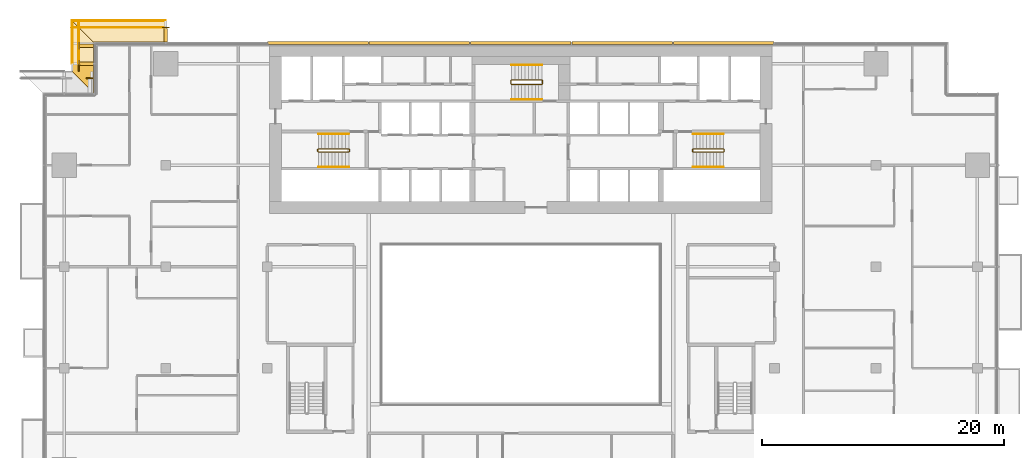
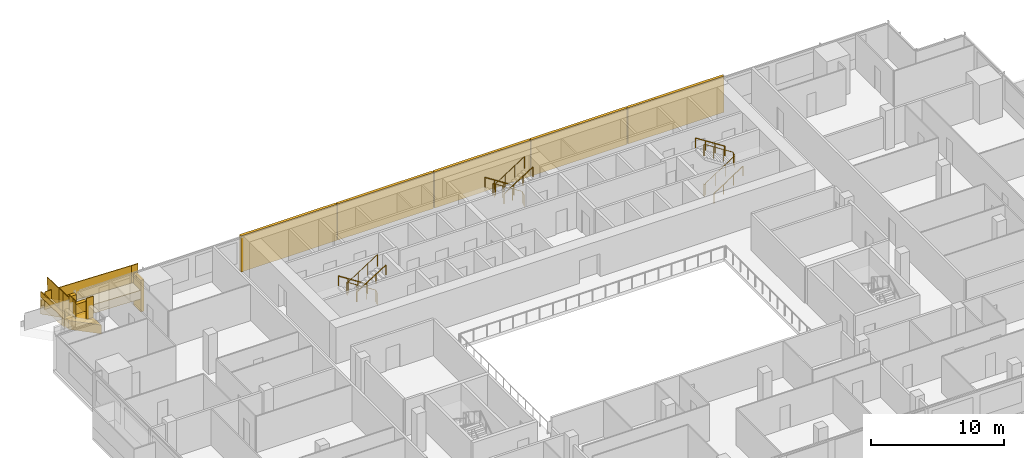
# One storey, part 26 of 29: 16 railings, 13 coverings.
"""IFC4 building model written with IfcOpenShell, lengths in metres."""

from ifc_helpers import new_model, si_unit, direction, frame, origin, origin_2d, place, context, subcontext, project, spatial, polyline, rectangle, circle, outline, extrude, material, layer, layer_set, type_object, element, save


model = new_model("IFC4")

# Units and contexts
model_context = context("Model", 3, precision=1e-05, world=origin(), true_north=direction((0.0, 1.0)))
body_context = subcontext(model_context, "Body", "Model", "MODEL_VIEW")
ifc_project = project(units=[si_unit("LENGTHUNIT", "METRE"), si_unit("AREAUNIT", "SQUARE_METRE"), si_unit("VOLUMEUNIT", "CUBIC_METRE"), si_unit("PLANEANGLEUNIT", "RADIAN"), si_unit("MASSUNIT", "GRAM", prefix="KILO")], contexts=[model_context])

# Site, building, storey
site_placement = place(None, origin())
site = spatial("IfcSite", under=ifc_project, at=site_placement, CompositionType="ELEMENT")
building_placement = place(site_placement, origin())
building = spatial("IfcBuilding", under=site, at=building_placement, Name="Saffron Gate Tower", CompositionType="ELEMENT")
storey_placement = place(building_placement, frame((0.0, 0.0, 106.050048828125)))
storey = spatial("IfcBuildingStorey", under=building, at=storey_placement, Name="L24", CompositionType="ELEMENT", Elevation=106.050048828125)

# Coverings
ifc_material_1 = material(Name="Ceramic-printed bronze insulated panel")
ifc_layer_1 = layer(ifc_material_1, 0.239990234375)
ifc_layer_set_1 = layer_set([ifc_layer_1], Name="CLD2 ceramic-printed cladding panel 240")
covering_type_1 = type_object("IfcCoveringType", Name="CLD2 ceramic-printed cladding panel 240", PredefinedType="CLADDING", material=ifc_layer_set_1)
covering_1_placement = place(storey_placement, origin())
element("IfcCovering", 1, at=covering_1_placement, inside=storey, type_object=covering_type_1, Name="CLADDING ceramic-printed panel", PredefinedType="CLADDING", context=body_context, shape_type="SweptSolid", body=[
    extrude(outline(polyline([(108.56494140625, 75.639892578125), (100.235107421875, 75.639892578125), (100.235107421875, 75.39990234375), (108.56494140625, 75.39990234375), (108.56494140625, 75.639892578125)])), origin(), (0.0, 0.0, 1.0), 3.320068359375),
])
covering_2_placement = place(storey_placement, origin())
element("IfcCovering", 2, at=covering_2_placement, inside=storey, type_object=covering_type_1, Name="CLADDING ceramic-printed panel", PredefinedType="CLADDING", context=body_context, shape_type="SweptSolid", body=[
    extrude(outline(polyline([(100.1650390625, 75.639892578125), (91.8349609375, 75.639892578125), (91.8349609375, 75.39990234375), (100.1650390625, 75.39990234375), (100.1650390625, 75.639892578125)])), origin(), (0.0, 0.0, 1.0), 3.320068359375),
])
covering_3_placement = place(storey_placement, origin())
element("IfcCovering", 3, at=covering_3_placement, inside=storey, type_object=covering_type_1, Name="CLADDING ceramic-printed panel", PredefinedType="CLADDING", context=body_context, shape_type="SweptSolid", body=[
    extrude(outline(polyline([(91.764892578125, 75.639892578125), (83.43505859375, 75.639892578125), (83.43505859375, 75.39990234375), (91.764892578125, 75.39990234375), (91.764892578125, 75.639892578125)])), origin(), (0.0, 0.0, 1.0), 3.320068359375),
])
covering_4_placement = place(storey_placement, origin())
element("IfcCovering", 4, at=covering_4_placement, inside=storey, type_object=covering_type_1, Name="CLADDING ceramic-printed panel", PredefinedType="CLADDING", context=body_context, shape_type="SweptSolid", body=[
    extrude(outline(polyline([(83.364990234375, 75.639892578125), (75.034912109375, 75.639892578125), (75.034912109375, 75.39990234375), (83.364990234375, 75.39990234375), (83.364990234375, 75.639892578125)])), origin(), (0.0, 0.0, 1.0), 3.320068359375),
])
covering_5_placement = place(storey_placement, origin())
element("IfcCovering", 5, at=covering_5_placement, inside=storey, type_object=covering_type_1, Name="CLADDING ceramic-printed panel", PredefinedType="CLADDING", context=body_context, shape_type="SweptSolid", body=[
    extrude(outline(polyline([(74.965087890625, 75.639892578125), (66.635009765625, 75.639892578125), (66.635009765625, 75.39990234375), (74.965087890625, 75.39990234375), (74.965087890625, 75.639892578125)])), origin(), (0.0, 0.0, 1.0), 3.320068359375),
])

# Railings
ifc_material_2 = material(Name="Stainless steel and laminated glass", Category="steel")
railing_type_1 = type_object("IfcRailingType", Name="CR1 Stair guard 1100", PredefinedType="GUARDRAIL", material=ifc_material_2)
railing_1_placement = place(storey_placement, frame((73.39990234375, 66.550048828125, 0.0)))
element("IfcRailing", 6, at=railing_1_placement, inside=storey, type_object=railing_type_1, Name="L24 ST-A stair guard 1", PredefinedType="GUARDRAIL", context=body_context, shape_type="SweptSolid", body=[
    extrude(circle(Radius=0.02392578125, at=origin_2d()), frame((0.0, 0.0, 1.076171875), z_axis=(0.0, 1.0, 0.0), x_axis=(-1.0, 0.0, 0.0)), (0.0, 0.0, 1.0), 0.14990234375),
    extrude(circle(Radius=0.02392578125, at=origin_2d()), frame((0.0, 0.14990234375, 1.076171875), z_axis=(-0.257669022063, 0.258932105505, 0.930892496375), x_axis=(-0.708833529934, -0.705375805398, 0.0)), (0.0, 0.0, 1.0), 0.193359375),
    extrude(circle(Radius=0.02392578125, at=origin_2d()), frame((-0.0498046875, 0.199951171875, 1.255859375), z_axis=(-0.841162588446, 0.0, 0.540782303519), x_axis=(0.0, -1.0, 0.0)), (0.0, 0.0, 1.0), 2.995849609375),
    extrude(circle(Radius=0.02392578125, at=origin_2d()), frame((-2.56982421875, 0.199951171875, 2.8759765625), z_axis=(-0.707106781187, -0.707106781187, 0.0), x_axis=(0.707106781187, -0.707106781187, 0.0)), (0.0, 0.0, 1.0), 0.07080078125),
    extrude(circle(Radius=0.02392578125, at=origin_2d()), frame((-2.619873046875, 0.14990234375, 2.8759765625), z_axis=(0.0, -1.0, 0.0), x_axis=(1.0, 0.0, 0.0)), (0.0, 0.0, 1.0), 0.14990234375),
    extrude(circle(Radius=0.02392578125, at=origin_2d()), frame((-2.619873046875, 0.0, 2.8759765625), z_axis=(0.258847668887, -0.258847668887, 0.930588936439), x_axis=(0.707106781187, 0.707106781187, 0.0)), (0.0, 0.0, 1.0), 0.193359375),
    extrude(circle(Radius=0.02392578125, at=origin_2d()), frame((-2.56982421875, -0.050048828125, 3.05615234375), z_axis=(0.841199657755, 0.0, 0.540724639528), x_axis=(0.0, 1.0, 0.0)), (0.0, 0.0, 1.0), 2.995849609375),
    extrude(circle(Radius=0.02099609375, at=origin_2d()), origin(), (0.0, 0.0, 1.0), 1.052001953125),
    extrude(circle(Radius=0.02099609375, at=origin_2d()), frame((0.0, 0.14990234375, 0.0)), (0.0, 0.0, 1.0), 1.052001953125),
    extrude(circle(Radius=0.02099609375, at=origin_2d()), frame((-0.0498046875, 0.199951171875, 0.179931640625)), (0.0, 0.0, 1.0), 1.052001953125),
    extrude(circle(Radius=0.02099609375, at=origin_2d()), frame((-0.889892578125, 0.199951171875, 0.719970703125)), (0.0, 0.0, 1.0), 1.052001953125),
    extrude(circle(Radius=0.02099609375, at=origin_2d()), frame((-1.729736328125, 0.199951171875, 1.260009765625)), (0.0, 0.0, 1.0), 1.052001953125),
    extrude(circle(Radius=0.02099609375, at=origin_2d()), frame((-2.56982421875, 0.199951171875, 1.800048828125)), (0.0, 0.0, 1.0), 1.052001953125),
    extrude(circle(Radius=0.02099609375, at=origin_2d()), frame((-2.619873046875, 0.14990234375, 1.800048828125)), (0.0, 0.0, 1.0), 1.052001953125),
    extrude(circle(Radius=0.02099609375, at=origin_2d()), frame((-2.619873046875, 0.0, 1.800048828125)), (0.0, 0.0, 1.0), 1.052001953125),
    extrude(circle(Radius=0.02099609375, at=origin_2d()), frame((-2.56982421875, -0.050048828125, 1.97998046875)), (0.0, 0.0, 1.0), 1.052001953125),
    extrude(circle(Radius=0.02099609375, at=origin_2d()), frame((-1.729736328125, -0.050048828125, 2.52001953125)), (0.0, 0.0, 1.0), 1.052001953125),
    extrude(circle(Radius=0.02099609375, at=origin_2d()), frame((-0.889892578125, -0.050048828125, 3.059814453125)), (0.0, 0.0, 1.0), 1.052001953125),
    extrude(circle(Radius=0.02099609375, at=origin_2d()), frame((-0.0498046875, -0.050048828125, 3.599853515625)), (0.0, 0.0, 1.0), 1.052001953125),
])
railing_2_placement = place(storey_placement, frame((101.800048828125, 66.699951171875, 0.0)))
element("IfcRailing", 7, at=railing_2_placement, inside=storey, type_object=railing_type_1, Name="L24 ST-B stair guard 1", PredefinedType="GUARDRAIL", context=body_context, shape_type="SweptSolid", body=[
    extrude(circle(Radius=0.02392578125, at=origin_2d()), frame((0.0, 0.0, 1.076171875), z_axis=(0.0, -1.0, 0.0), x_axis=(1.0, 0.0, 0.0)), (0.0, 0.0, 1.0), 0.14990234375),
    extrude(circle(Radius=0.02392578125, at=origin_2d()), frame((0.0, -0.14990234375, 1.076171875), z_axis=(0.258847668887, -0.258847668887, 0.930588936439), x_axis=(0.707106781187, 0.707106781187, 0.0)), (0.0, 0.0, 1.0), 0.193359375),
    extrude(circle(Radius=0.02392578125, at=origin_2d()), frame((0.050048828125, -0.199951171875, 1.255859375), z_axis=(0.841162588446, 0.0, 0.540782303519), x_axis=(0.0, 1.0, 0.0)), (0.0, 0.0, 1.0), 2.995849609375),
    extrude(circle(Radius=0.02392578125, at=origin_2d()), frame((2.570068359375, -0.199951171875, 2.8759765625), z_axis=(0.705375805398, 0.708833529934, 0.0), x_axis=(-0.708833529934, 0.705375805398, 0.0)), (0.0, 0.0, 1.0), 0.070556640625),
    extrude(circle(Radius=0.02392578125, at=origin_2d()), frame((2.619873046875, -0.14990234375, 2.8759765625), z_axis=(0.0, 1.0, 0.0), x_axis=(-1.0, 0.0, 0.0)), (0.0, 0.0, 1.0), 0.14990234375),
    extrude(circle(Radius=0.02392578125, at=origin_2d()), frame((2.619873046875, 0.0, 2.8759765625), z_axis=(-0.257669022063, 0.258932105505, 0.930892496375), x_axis=(-0.708833529934, -0.705375805398, 0.0)), (0.0, 0.0, 1.0), 0.193359375),
    extrude(circle(Radius=0.02392578125, at=origin_2d()), frame((2.570068359375, 0.050048828125, 3.05615234375), z_axis=(-0.841199657755, 0.0, 0.540724639528), x_axis=(0.0, -1.0, 0.0)), (0.0, 0.0, 1.0), 2.995849609375),
    extrude(circle(Radius=0.02099609375, at=origin_2d()), origin(), (0.0, 0.0, 1.0), 1.052001953125),
    extrude(circle(Radius=0.02099609375, at=origin_2d()), frame((0.0, -0.14990234375, 0.0)), (0.0, 0.0, 1.0), 1.052001953125),
    extrude(circle(Radius=0.02099609375, at=origin_2d()), frame((0.050048828125, -0.199951171875, 0.179931640625)), (0.0, 0.0, 1.0), 1.052001953125),
    extrude(circle(Radius=0.02099609375, at=origin_2d()), frame((0.89013671875, -0.199951171875, 0.719970703125)), (0.0, 0.0, 1.0), 1.052001953125),
    extrude(circle(Radius=0.02099609375, at=origin_2d()), frame((1.72998046875, -0.199951171875, 1.260009765625)), (0.0, 0.0, 1.0), 1.052001953125),
    extrude(circle(Radius=0.02099609375, at=origin_2d()), frame((2.570068359375, -0.199951171875, 1.800048828125)), (0.0, 0.0, 1.0), 1.052001953125),
    extrude(circle(Radius=0.02099609375, at=origin_2d()), frame((2.619873046875, -0.14990234375, 1.800048828125)), (0.0, 0.0, 1.0), 1.052001953125),
    extrude(circle(Radius=0.02099609375, at=origin_2d()), frame((2.619873046875, 0.0, 1.800048828125)), (0.0, 0.0, 1.0), 1.052001953125),
    extrude(circle(Radius=0.02099609375, at=origin_2d()), frame((2.570068359375, 0.050048828125, 1.97998046875)), (0.0, 0.0, 1.0), 1.052001953125),
    extrude(circle(Radius=0.02099609375, at=origin_2d()), frame((1.72998046875, 0.050048828125, 2.52001953125)), (0.0, 0.0, 1.0), 1.052001953125),
    extrude(circle(Radius=0.02099609375, at=origin_2d()), frame((0.89013671875, 0.050048828125, 3.059814453125)), (0.0, 0.0, 1.0), 1.052001953125),
    extrude(circle(Radius=0.02099609375, at=origin_2d()), frame((0.050048828125, 0.050048828125, 3.599853515625)), (0.0, 0.0, 1.0), 1.052001953125),
])
railing_3_placement = place(storey_placement, frame((89.39990234375, 72.14990234375, 0.0)))
element("IfcRailing", 8, at=railing_3_placement, inside=storey, type_object=railing_type_1, Name="L24 ST-C stair guard 1", PredefinedType="GUARDRAIL", context=body_context, shape_type="SweptSolid", body=[
    extrude(circle(Radius=0.02392578125, at=origin_2d()), frame((0.0, 0.0, 1.076171875), z_axis=(0.0, 1.0, 0.0), x_axis=(-1.0, 0.0, 0.0)), (0.0, 0.0, 1.0), 0.25),
    extrude(circle(Radius=0.02392578125, at=origin_2d()), frame((0.0, 0.25, 1.076171875), z_axis=(-0.257669022063, 0.258932105505, 0.930892496375), x_axis=(-0.708833529934, -0.705375805398, 0.0)), (0.0, 0.0, 1.0), 0.193359375),
    extrude(circle(Radius=0.02392578125, at=origin_2d()), frame((-0.0498046875, 0.300048828125, 1.255859375), z_axis=(-0.841162588446, 0.0, 0.540782303519), x_axis=(0.0, -1.0, 0.0)), (0.0, 0.0, 1.0), 2.995849609375),
    extrude(circle(Radius=0.02392578125, at=origin_2d()), frame((-2.56982421875, 0.300048828125, 2.8759765625), z_axis=(-0.707106781187, -0.707106781187, 0.0), x_axis=(0.707106781187, -0.707106781187, 0.0)), (0.0, 0.0, 1.0), 0.07080078125),
    extrude(circle(Radius=0.02392578125, at=origin_2d()), frame((-2.619873046875, 0.25, 2.8759765625), z_axis=(0.0, -1.0, 0.0), x_axis=(1.0, 0.0, 0.0)), (0.0, 0.0, 1.0), 0.25),
    extrude(circle(Radius=0.02392578125, at=origin_2d()), frame((-2.619873046875, 0.0, 2.8759765625), z_axis=(0.258932105505, -0.257669022063, 0.930892496375), x_axis=(0.705375805398, 0.708833529934, 0.0)), (0.0, 0.0, 1.0), 0.193359375),
    extrude(circle(Radius=0.02392578125, at=origin_2d()), frame((-2.56982421875, -0.0498046875, 3.05615234375), z_axis=(0.841199657755, 0.0, 0.540724639528), x_axis=(0.0, 1.0, 0.0)), (0.0, 0.0, 1.0), 2.995849609375),
    extrude(circle(Radius=0.02099609375, at=origin_2d()), origin(), (0.0, 0.0, 1.0), 1.052001953125),
    extrude(circle(Radius=0.02099609375, at=origin_2d()), frame((0.0, 0.25, 0.0)), (0.0, 0.0, 1.0), 1.052001953125),
    extrude(circle(Radius=0.02099609375, at=origin_2d()), frame((-0.0498046875, 0.300048828125, 0.179931640625)), (0.0, 0.0, 1.0), 1.052001953125),
    extrude(circle(Radius=0.02099609375, at=origin_2d()), frame((-0.889892578125, 0.300048828125, 0.719970703125)), (0.0, 0.0, 1.0), 1.052001953125),
    extrude(circle(Radius=0.02099609375, at=origin_2d()), frame((-1.729736328125, 0.300048828125, 1.260009765625)), (0.0, 0.0, 1.0), 1.052001953125),
    extrude(circle(Radius=0.02099609375, at=origin_2d()), frame((-2.56982421875, 0.300048828125, 1.800048828125)), (0.0, 0.0, 1.0), 1.052001953125),
    extrude(circle(Radius=0.02099609375, at=origin_2d()), frame((-2.619873046875, 0.25, 1.800048828125)), (0.0, 0.0, 1.0), 1.052001953125),
    extrude(circle(Radius=0.02099609375, at=origin_2d()), frame((-2.619873046875, 0.0, 1.800048828125)), (0.0, 0.0, 1.0), 1.052001953125),
    extrude(circle(Radius=0.02099609375, at=origin_2d()), frame((-2.56982421875, -0.0498046875, 1.97998046875)), (0.0, 0.0, 1.0), 1.052001953125),
    extrude(circle(Radius=0.02099609375, at=origin_2d()), frame((-1.729736328125, -0.0498046875, 2.52001953125)), (0.0, 0.0, 1.0), 1.052001953125),
    extrude(circle(Radius=0.02099609375, at=origin_2d()), frame((-0.889892578125, -0.0498046875, 3.059814453125)), (0.0, 0.0, 1.0), 1.052001953125),
    extrude(circle(Radius=0.02099609375, at=origin_2d()), frame((-0.0498046875, -0.0498046875, 3.599853515625)), (0.0, 0.0, 1.0), 1.052001953125),
])
ifc_material_3 = material(Name="Stainless steel", Category="steel")
railing_type_2 = type_object("IfcRailingType", Name="CR2 Stair handrail 900", PredefinedType="HANDRAIL", material=ifc_material_3)
railing_4_placement = place(storey_placement, frame((73.35009765625, 68.0, 0.179931640625)))
element("IfcRailing", 9, at=railing_4_placement, inside=storey, type_object=railing_type_2, Name="L24 ST-A stair handrail 1", PredefinedType="HANDRAIL", context=body_context, shape_type="SweptSolid", body=[
    extrude(circle(Radius=0.02392578125, at=origin_2d()), frame((0.0, 0.0, 0.8759765625), z_axis=(-0.841162588446, 0.0, 0.540782303519), x_axis=(0.0, -1.0, 0.0)), (0.0, 0.0, 1.0), 2.995849609375),
    extrude(circle(Radius=0.02099609375, at=origin_2d()), origin(), (0.0, 0.0, 1.0), 0.851806640625),
    extrude(circle(Radius=0.02099609375, at=origin_2d()), frame((-0.840087890625, 0.0, 0.5400390625)), (0.0, 0.0, 1.0), 0.851806640625),
    extrude(circle(Radius=0.02099609375, at=origin_2d()), frame((-1.679931640625, 0.0, 1.080078125)), (0.0, 0.0, 1.0), 0.851806640625),
    extrude(circle(Radius=0.02099609375, at=origin_2d()), frame((-2.52001953125, 0.0, 1.6201171875)), (0.0, 0.0, 1.0), 0.851806640625),
])
railing_5_placement = place(storey_placement, frame((70.830078125, 65.25, 1.97998046875)))
element("IfcRailing", 10, at=railing_5_placement, inside=storey, type_object=railing_type_2, Name="L24 ST-A stair handrail 2", PredefinedType="HANDRAIL", context=body_context, shape_type="SweptSolid", body=[
    extrude(circle(Radius=0.02392578125, at=origin_2d()), frame((0.0, 0.0, 0.8759765625), z_axis=(0.841199657755, 0.0, 0.540724639528), x_axis=(0.0, 1.0, 0.0)), (0.0, 0.0, 1.0), 2.995849609375),
    extrude(circle(Radius=0.02099609375, at=origin_2d()), origin(), (0.0, 0.0, 1.0), 0.851806640625),
    extrude(circle(Radius=0.02099609375, at=origin_2d()), frame((0.840087890625, 0.0, 0.5400390625)), (0.0, 0.0, 1.0), 0.851806640625),
    extrude(circle(Radius=0.02099609375, at=origin_2d()), frame((1.679931640625, 0.0, 1.079833984375)), (0.0, 0.0, 1.0), 0.851806640625),
    extrude(circle(Radius=0.02099609375, at=origin_2d()), frame((2.52001953125, 0.0, 1.619873046875)), (0.0, 0.0, 1.0), 0.851806640625),
])
railing_6_placement = place(storey_placement, frame((101.85009765625, 65.25, 0.179931640625)))
element("IfcRailing", 11, at=railing_6_placement, inside=storey, type_object=railing_type_2, Name="L24 ST-B stair handrail 1", PredefinedType="HANDRAIL", context=body_context, shape_type="SweptSolid", body=[
    extrude(circle(Radius=0.02392578125, at=origin_2d()), frame((0.0, 0.0, 0.8759765625), z_axis=(0.841162588446, 0.0, 0.540782303519), x_axis=(0.0, 1.0, 0.0)), (0.0, 0.0, 1.0), 2.995849609375),
    extrude(circle(Radius=0.02099609375, at=origin_2d()), origin(), (0.0, 0.0, 1.0), 0.851806640625),
    extrude(circle(Radius=0.02099609375, at=origin_2d()), frame((0.840087890625, 0.0, 0.5400390625)), (0.0, 0.0, 1.0), 0.851806640625),
    extrude(circle(Radius=0.02099609375, at=origin_2d()), frame((1.679931640625, 0.0, 1.080078125)), (0.0, 0.0, 1.0), 0.851806640625),
    extrude(circle(Radius=0.02099609375, at=origin_2d()), frame((2.52001953125, 0.0, 1.6201171875)), (0.0, 0.0, 1.0), 0.851806640625),
])
railing_7_placement = place(storey_placement, frame((104.3701171875, 68.0, 1.97998046875)))
element("IfcRailing", 12, at=railing_7_placement, inside=storey, type_object=railing_type_2, Name="L24 ST-B stair handrail 2", PredefinedType="HANDRAIL", context=body_context, shape_type="SweptSolid", body=[
    extrude(circle(Radius=0.02392578125, at=origin_2d()), frame((0.0, 0.0, 0.8759765625), z_axis=(-0.841199657755, 0.0, 0.540724639528), x_axis=(0.0, -1.0, 0.0)), (0.0, 0.0, 1.0), 2.995849609375),
    extrude(circle(Radius=0.02099609375, at=origin_2d()), origin(), (0.0, 0.0, 1.0), 0.851806640625),
    extrude(circle(Radius=0.02099609375, at=origin_2d()), frame((-0.840087890625, 0.0, 0.5400390625)), (0.0, 0.0, 1.0), 0.851806640625),
    extrude(circle(Radius=0.02099609375, at=origin_2d()), frame((-1.679931640625, 0.0, 1.079833984375)), (0.0, 0.0, 1.0), 0.851806640625),
    extrude(circle(Radius=0.02099609375, at=origin_2d()), frame((-2.52001953125, 0.0, 1.619873046875)), (0.0, 0.0, 1.0), 0.851806640625),
])
railing_8_placement = place(storey_placement, frame((89.35009765625, 73.699951171875, 0.179931640625)))
element("IfcRailing", 13, at=railing_8_placement, inside=storey, type_object=railing_type_2, Name="L24 ST-C stair handrail 1", PredefinedType="HANDRAIL", context=body_context, shape_type="SweptSolid", body=[
    extrude(circle(Radius=0.02392578125, at=origin_2d()), frame((0.0, 0.0, 0.8759765625), z_axis=(-0.841162588446, 0.0, 0.540782303519), x_axis=(0.0, -1.0, 0.0)), (0.0, 0.0, 1.0), 2.995849609375),
    extrude(circle(Radius=0.02099609375, at=origin_2d()), origin(), (0.0, 0.0, 1.0), 0.851806640625),
    extrude(circle(Radius=0.02099609375, at=origin_2d()), frame((-0.840087890625, 0.0, 0.5400390625)), (0.0, 0.0, 1.0), 0.851806640625),
    extrude(circle(Radius=0.02099609375, at=origin_2d()), frame((-1.679931640625, 0.0, 1.080078125)), (0.0, 0.0, 1.0), 0.851806640625),
    extrude(circle(Radius=0.02099609375, at=origin_2d()), frame((-2.52001953125, 0.0, 1.6201171875)), (0.0, 0.0, 1.0), 0.851806640625),
])
railing_9_placement = place(storey_placement, frame((86.830078125, 70.85009765625, 1.97998046875)))
element("IfcRailing", 14, at=railing_9_placement, inside=storey, type_object=railing_type_2, Name="L24 ST-C stair handrail 2", PredefinedType="HANDRAIL", context=body_context, shape_type="SweptSolid", body=[
    extrude(circle(Radius=0.02392578125, at=origin_2d()), frame((0.0, 0.0, 0.8759765625), z_axis=(0.841199657755, 0.0, 0.540724639528), x_axis=(0.0, 1.0, 0.0)), (0.0, 0.0, 1.0), 2.995849609375),
    extrude(circle(Radius=0.02099609375, at=origin_2d()), origin(), (0.0, 0.0, 1.0), 0.851806640625),
    extrude(circle(Radius=0.02099609375, at=origin_2d()), frame((0.840087890625, 0.0, 0.5400390625)), (0.0, 0.0, 1.0), 0.851806640625),
    extrude(circle(Radius=0.02099609375, at=origin_2d()), frame((1.679931640625, 0.0, 1.079833984375)), (0.0, 0.0, 1.0), 0.851806640625),
    extrude(circle(Radius=0.02099609375, at=origin_2d()), frame((2.52001953125, 0.0, 1.619873046875)), (0.0, 0.0, 1.0), 0.851806640625),
])

# Coverings
ifc_material_4 = material(Name="Timber, thermally modified ash", Category="wood")
ifc_layer_2 = layer(ifc_material_4, 0.800048828125)
ifc_layer_set_2 = layer_set([ifc_layer_2], Name="LD1 ledge timber")
covering_type_2 = type_object("IfcCoveringType", Name="LD1 ledge timber", PredefinedType="CLADDING", material=ifc_layer_set_2)
covering_6_placement = place(storey_placement, frame((58.199951171875, 75.60009765625, 1.2265625), z_axis=(0.028789477025, 2.3920834e-05, 0.999585496814), x_axis=(-0.9995854971, -1.72e-10, 0.028789477033)))
element("IfcCovering", 15, at=covering_6_placement, inside=storey, type_object=covering_type_2, Name="LEDGE", PredefinedType="CLADDING", context=body_context, shape_type="SweptSolid", body=[
    extrude(outline(polyline([(0.0, 0.0), (6.002489288687248, 8.470329472543003e-22), (7.80328207139786, -1.7998046893537554), (-3.087962377470193e-10, -1.7998046869850703), (0.0, 0.0)])), origin(), (0.0, 0.0, -1.0), 0.800048828125),
])
covering_7_placement = place(storey_placement, frame((52.199951171875, 75.60009765625, 2.2568359375), z_axis=(-4.6492774e-05, 0.028788135707, 0.99958553465), x_axis=(-2.161e-09, -0.99958553573, 0.028788135738)))
element("IfcCovering", 16, at=covering_7_placement, inside=storey, type_object=covering_type_2, Name="LEDGE", PredefinedType="CLADDING", context=body_context, shape_type="SweptSolid", body=[
    extrude(outline(polyline([(0.0, 0.0), (1.8007927831333284, 4.235164736271502e-22), (1.800792787022667, -1.8000488261795269), (-1.8005557681600073, -1.8000488378518529), (0.0, 0.0)])), origin(), (0.0, 0.0, -1.0), 0.800048828125),
])
covering_8_placement = place(storey_placement, frame((52.199951171875, 73.800048828125, 2.56591796875), z_axis=(2.6333678e-05, 0.028794305201, 0.999585357683), x_axis=(5.2e-10, -0.99958535803, 0.028794305211)))
element("IfcCovering", 17, at=covering_8_placement, inside=storey, type_object=covering_type_2, Name="LEDGE", PredefinedType="CLADDING", context=body_context, shape_type="SweptSolid", body=[
    extrude(outline(polyline([(0.0, 0.0), (2.401140733194568, 0.0), (0.6003479496762917, -1.8000488290612322), (-9.357805408281585e-10, -1.8000488275008664), (0.0, 0.0)])), origin(), (0.0, 0.0, -1.0), 0.800048828125),
])
ifc_layer_3 = layer(ifc_material_4, 0.080078125)
ifc_layer_set_3 = layer_set([ifc_layer_3], Name="LD2 ledge planter trough")
covering_type_3 = type_object("IfcCoveringType", Name="LD2 ledge planter trough", PredefinedType="CLADDING", material=ifc_layer_set_3)
covering_9_placement = place(storey_placement, frame((58.199951171875, 77.39990234375, 1.2265625), z_axis=(0.0, 1.0, 0.0), x_axis=(-0.999585655924, 0.0, 0.028783962047)))
element("IfcCovering", 18, at=covering_9_placement, inside=storey, type_object=covering_type_3, Name="LEDGE planter trough", PredefinedType="CLADDING", context=body_context, shape_type="SweptSolid", body=[
    extrude(outline(polyline([(0.0, 0.0), (7.803282071825423, 2.7755575615628914e-17), (7.817674052849086, 0.4997928279619612), (0.014391981023662846, 0.4997928279619612), (0.0, 0.0)])), origin(), (0.0, 0.0, -1.0), 0.080078125),
])
covering_10_placement = place(storey_placement, frame((50.39990234375, 77.39990234375, 2.204833984375), z_axis=(-1.0, 0.0, 0.0), x_axis=(0.0, -0.999584866472, 0.028811364412)))
element("IfcCovering", 19, at=covering_10_placement, inside=storey, type_object=covering_type_3, Name="LEDGE planter trough", PredefinedType="CLADDING", context=body_context, shape_type="SweptSolid", body=[
    extrude(outline(polyline([(0.0, 0.0), (3.601348556155073, 0.0), (3.6157542383609322, 0.49979243323622236), (0.01440568220585924, 0.49979243323622236), (0.0, 0.0)])), origin(), (0.0, 0.0, -1.0), 0.080078125),
])
ifc_layer_4 = layer(ifc_material_4, 0.300048828125)
ifc_layer_set_4 = layer_set([ifc_layer_4], Name="LD3 ledge riser fin")
covering_type_4 = type_object("IfcCoveringType", Name="LD3 ledge riser fin", PredefinedType="CLADDING", material=ifc_layer_set_4)
covering_11_placement = place(storey_placement, frame((58.199951171875, 76.159912109375, -0.77392578125), z_axis=(0.0, 0.0, 1.0), x_axis=(-1.0, 0.0, 0.0)))
element("IfcCovering", 20, at=covering_11_placement, inside=storey, type_object=covering_type_4, Name="LEDGE riser fin", PredefinedType="CLADDING", context=body_context, shape_type="SweptSolid", body=[
    extrude(rectangle(XDim=0.300048828125, YDim=1.1201171875, at=origin_2d()), origin(), (0.0, 0.0, 1.0), 2.900390625),
])
covering_12_placement = place(storey_placement, frame((51.639892578125, 75.300048828125, 0.599609375), z_axis=(0.0, 0.0, 1.0), x_axis=(0.0, -1.0, 0.0)))
element("IfcCovering", 21, at=covering_12_placement, inside=storey, type_object=covering_type_4, Name="LEDGE riser fin", PredefinedType="CLADDING", context=body_context, shape_type="SweptSolid", body=[
    extrude(rectangle(XDim=0.300048828125, YDim=1.1201171875, at=origin_2d()), origin(), (0.0, 0.0, 1.0), 2.557373046875),
])
covering_13_placement = place(storey_placement, frame((51.639892578125, 73.800048828125, 1.5087890625), z_axis=(0.0, 0.0, 1.0), x_axis=(0.0, -1.0, 0.0)))
element("IfcCovering", 22, at=covering_13_placement, inside=storey, type_object=covering_type_4, Name="LEDGE riser fin", PredefinedType="CLADDING", context=body_context, shape_type="SweptSolid", body=[
    extrude(rectangle(XDim=0.300048828125, YDim=1.1201171875, at=origin_2d()), origin(), (0.0, 0.0, 1.0), 1.957275390625),
])

# Railings
railing_type_3 = type_object("IfcRailingType", Name="LG1 ledge balustrade", PredefinedType="BALUSTRADE", material=ifc_material_4)
railing_10_placement = place(storey_placement, frame((58.199951171875, 76.800048828125, 1.2265625)))
element("IfcRailing", 23, at=railing_10_placement, inside=storey, type_object=railing_type_3, Name="LEDGE BALUSTRADE", PredefinedType="BALUSTRADE", context=body_context, shape_type="SweptSolid", body=[
    extrude(rectangle(XDim=0.06005859375, YDim=1.60009765625, at=origin_2d()), frame((0.0, 0.0, 0.800048828125), z_axis=(-0.999585655924, 0.0, 0.028783962047), x_axis=(0.0, -1.0, 0.0)), (0.0, 0.0, 1.0), 7.80322265625),
])
railing_11_placement = place(storey_placement, frame((58.5, 76.800048828125, 0.026123046875)))
element("IfcRailing", 24, at=railing_11_placement, inside=storey, type_object=railing_type_3, Name="LEDGE BALUSTRADE", PredefinedType="BALUSTRADE", context=body_context, shape_type="SweptSolid", body=[
    extrude(rectangle(XDim=0.06005859375, YDim=2.80029296875, at=origin_2d()), frame((0.0, 0.0, 1.400146484375), z_axis=(-1.0, 0.0, 0.0), x_axis=(0.0, -1.0, 0.0)), (0.0, 0.0, 1.0), 0.60009765625),
])
railing_12_placement = place(storey_placement, frame((51.0, 77.39990234375, 2.204833984375)))
element("IfcRailing", 25, at=railing_12_placement, inside=storey, type_object=railing_type_3, Name="LEDGE BALUSTRADE", PredefinedType="BALUSTRADE", context=body_context, shape_type="SweptSolid", body=[
    extrude(rectangle(XDim=0.06005859375, YDim=1.60009765625, at=origin_2d()), frame((0.0, 0.0, 0.800048828125), z_axis=(0.0, -0.999584866472, 0.028811364412), x_axis=(1.0, 0.0, 0.0)), (0.0, 0.0, 1.0), 3.601318359375),
])
railing_13_placement = place(storey_placement, frame((51.0, 75.60009765625, 1.3994140625)))
element("IfcRailing", 26, at=railing_13_placement, inside=storey, type_object=railing_type_3, Name="LEDGE BALUSTRADE", PredefinedType="BALUSTRADE", context=body_context, shape_type="SweptSolid", body=[
    extrude(rectangle(XDim=0.06005859375, YDim=2.45751953125, at=origin_2d()), frame((0.0, 0.0, 1.228759765625), z_axis=(0.0, -1.0, 0.0), x_axis=(1.0, 0.0, 0.0)), (0.0, 0.0, 1.0), 0.60009765625),
])
railing_14_placement = place(storey_placement, frame((51.0, 73.800048828125, 2.56591796875)))
element("IfcRailing", 27, at=railing_14_placement, inside=storey, type_object=railing_type_3, Name="LEDGE BALUSTRADE", PredefinedType="BALUSTRADE", context=body_context, shape_type="SweptSolid", body=[
    extrude(rectangle(XDim=0.06005859375, YDim=1.60009765625, at=origin_2d()), frame((0.0, 0.0, 0.800048828125), z_axis=(0.0, -0.999583081391, 0.028873229772), x_axis=(1.0, 0.0, 0.0)), (0.0, 0.0, 1.0), 0.600341796875),
])
railing_15_placement = place(storey_placement, frame((51.0, 74.10009765625, 2.30859375)))
element("IfcRailing", 28, at=railing_15_placement, inside=storey, type_object=railing_type_3, Name="LEDGE BALUSTRADE", PredefinedType="BALUSTRADE", context=body_context, shape_type="SweptSolid", body=[
    extrude(rectangle(XDim=0.06005859375, YDim=1.857177734375, at=origin_2d()), frame((0.0, 0.0, 0.9287109375), z_axis=(0.0, -1.0, 0.0), x_axis=(1.0, 0.0, 0.0)), (0.0, 0.0, 1.0), 0.60009765625),
])
railing_16_placement = place(storey_placement, frame((52.199951171875, 72.60009765625, 2.635009765625)))
element("IfcRailing", 29, at=railing_16_placement, inside=storey, type_object=railing_type_3, Name="LEDGE BALUSTRADE", PredefinedType="BALUSTRADE", context=body_context, shape_type="SweptSolid", body=[
    extrude(rectangle(XDim=0.06005859375, YDim=1.943115234375, at=origin_2d()), frame((0.0, 0.0, 0.9716796875), z_axis=(-1.0, 0.0, 0.0), x_axis=(0.0, -1.0, 0.0)), (0.0, 0.0, 1.0), 0.599853515625),
])

save(model, "model.ifc")
